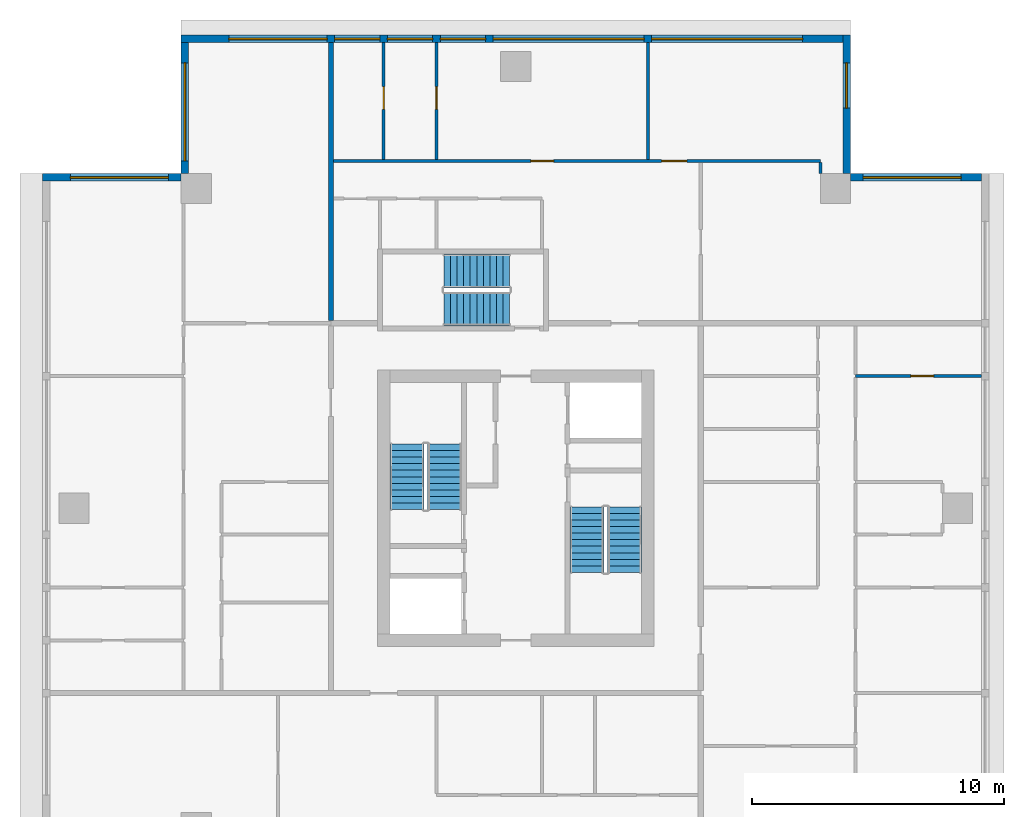
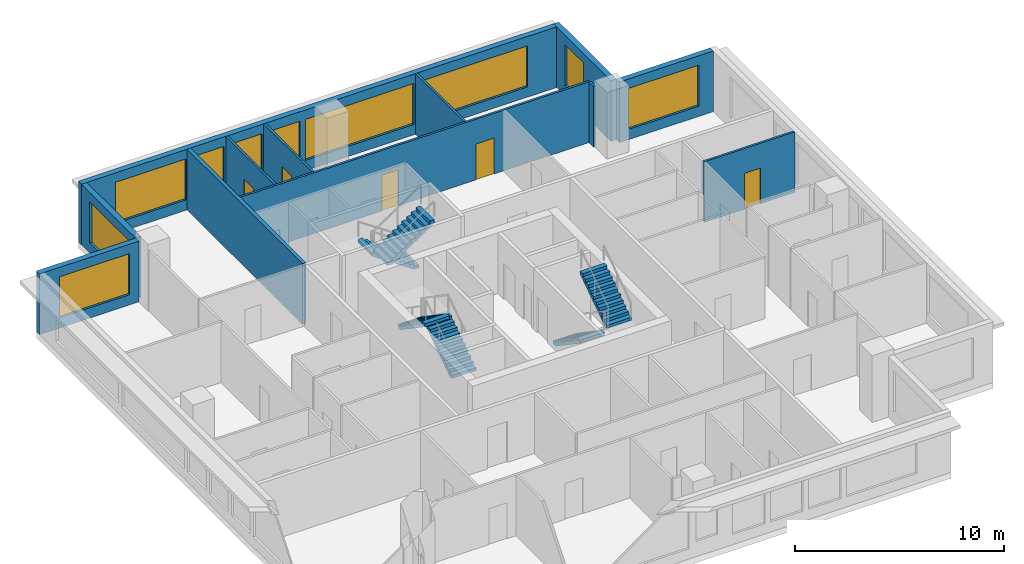
# One storey, part 5 of 8: 12 walls, 10 windows, 6 stair flights, 5 doors, 15 openings, 3 elements without a shape of their own.
"""IFC4 building model written with IfcOpenShell, lengths in metres."""

from ifc_helpers import new_model, si_unit, direction, frame, frame_2d, origin, place, context, subcontext, project, spatial, polyline, rectangle, outline, extrude, material, layer, layer_set, type_object, element, fill, aggregate, save


model = new_model("IFC4")

# Units and contexts
model_context = context("Model", 3, precision=1e-05, world=origin(), true_north=direction((0.0, 1.0)))
body_context = subcontext(model_context, "Body", "Model", "MODEL_VIEW")
ifc_project = project(units=[si_unit("LENGTHUNIT", "METRE"), si_unit("AREAUNIT", "SQUARE_METRE"), si_unit("VOLUMEUNIT", "CUBIC_METRE"), si_unit("PLANEANGLEUNIT", "RADIAN"), si_unit("MASSUNIT", "GRAM", prefix="KILO")], contexts=[model_context])

# Site, building, storey
site_placement = place(None, origin())
site = spatial("IfcSite", under=ifc_project, at=site_placement, CompositionType="ELEMENT")
building_placement = place(site_placement, origin())
building = spatial("IfcBuilding", under=site, at=building_placement, Name="Khepri Terraces", CompositionType="ELEMENT")
storey_placement = place(building_placement, frame((0.0, 0.0, 304.5)))
storey = spatial("IfcBuildingStorey", under=building, at=storey_placement, Name="L73", CompositionType="ELEMENT", Elevation=304.5)

# Wall
ifc_material_1 = material(Name="Fire-rated gypsum plasterboard partition, mineral wool")
ifc_layer_1 = layer(ifc_material_1, 0.199951171875, Name="Fire-rated gypsum plasterboard partition, mineral wool")
ifc_layer_set_1 = layer_set([ifc_layer_1], Name="Fire-rated gypsum plasterboard partition, mineral wool")
wall_type_1 = type_object("IfcWallType", Name="WL-CORR-200", PredefinedType="PARTITIONING", material=ifc_layer_set_1)
wall_1_placement = place(storey_placement, frame((-7.35009765625, 7.449951171875, 0.0), z_axis=(0.0, 0.0, 1.0), x_axis=(0.0, 1.0, 0.0)))
element("IfcWall", 1, at=wall_1_placement, inside=storey, type_object=wall_type_1, Name="Partition P-057 L73", PredefinedType="PARTITIONING", context=body_context, shape_type="SweptSolid", body=[
    extrude(rectangle(XDim=11.050048828125, YDim=0.199951171875, at=frame_2d((5.52490234375, 0.0))), origin(), (0.0, 0.0, 1.0), 3.550048828125),
])

# Wall, opening, window
ifc_material_2 = material(Name="Precast concrete C50/60 warm stone", Category="masonry")
ifc_layer_2 = layer(ifc_material_2, 0.300048828125, Name="Precast concrete C50/60 warm stone", Category="masonry")
ifc_layer_set_2 = layer_set([ifc_layer_2], Name="Precast concrete C50/60 warm stone")
wall_type_2 = type_object("IfcWallType", Name="WL-EXT-PRECAST-300", PredefinedType="STANDARD", material=ifc_layer_set_2)
wall_2_placement = place(storey_placement, frame((18.5, 13.14990234375, 0.0), z_axis=(0.0, 0.0, 1.0), x_axis=(-1.0, 0.0, 0.0)))
wall_2 = element("IfcWall", 2, at=wall_2_placement, inside=storey, type_object=wall_type_2, Name="External wall L73 N", PredefinedType="STANDARD", context=body_context, shape_type="SweptSolid", body=[
    extrude(rectangle(XDim=5.199951171875, YDim=0.300048828125, at=frame_2d((2.60009765625, 0.0))), origin(), (0.0, 0.0, 1.0), 3.550048828125),
])
opening_1_placement = place(wall_2_placement, frame((0.800048828125, 0.0, 0.60009765625)))
opening_1 = element("IfcOpeningElement", 3, at=opening_1_placement, cuts=wall_2, Name="Opening WC2", PredefinedType="OPENING", context=body_context, shape_type="SweptSolid", body=[
    extrude(rectangle(XDim=3.89990234375, YDim=2.39990234375, at=frame_2d((1.949951171875, 1.199951171875))), frame((0.0, 0.16015625, 0.0), z_axis=(0.0, -1.0, 0.0), x_axis=(1.0, 0.0, 0.0)), (0.0, 0.0, 1.0), 0.320068359375),
])
ifc_material_3 = material(Name="Clear glass", Category="glass")
window_type_1 = type_object("IfcWindowType", Name="WIN-CRN-3900x2400", PartitioningType="SINGLE_PANEL", PredefinedType="WINDOW", material=ifc_material_3)
window_1_placement = place(opening_1_placement, origin())
window_1 = element("IfcWindow", 4, at=window_1_placement, inside=storey, type_object=window_type_1, Name="Window L73 N", OverallHeight=2.39990234375, OverallWidth=3.89990234375, PartitioningType="SINGLE_PANEL", PredefinedType="WINDOW", context=body_context, shape_type="SweptSolid", body=[
    extrude(rectangle(XDim=3.89990234375, YDim=2.39990234375, at=frame_2d((1.949951171875, 1.199951171875))), frame((0.0, 0.030029296875, 0.0), z_axis=(0.0, -1.0, 0.0), x_axis=(1.0, 0.0, 0.0)), (0.0, 0.0, 1.0), 0.06005859375),
])
fill(opening_1, window_1)

wall_3_placement = place(storey_placement, frame((13.14990234375, 13.300048828125, 0.0), z_axis=(0.0, 0.0, 1.0), x_axis=(0.0, 1.0, 0.0)))
wall_3 = element("IfcWall", 5, at=wall_3_placement, inside=storey, type_object=wall_type_2, Name="External wall L73 E", PredefinedType="STANDARD", context=body_context, shape_type="SweptSolid", body=[
    extrude(rectangle(XDim=5.5, YDim=0.300048828125, at=frame_2d((2.75, 0.0))), origin(), (0.0, 0.0, 1.0), 3.550048828125),
])
opening_2_placement = place(wall_3_placement, frame((2.60009765625, 0.0, 0.60009765625)))
opening_2 = element("IfcOpeningElement", 6, at=opening_2_placement, cuts=wall_3, Name="Opening WC1", PredefinedType="OPENING", context=body_context, shape_type="SweptSolid", body=[
    extrude(rectangle(XDim=1.800048828125, YDim=2.39990234375, at=frame_2d((0.89990234375, 1.199951171875))), frame((0.0, 0.16015625, 0.0), z_axis=(0.0, -1.0, 0.0), x_axis=(1.0, 0.0, 0.0)), (0.0, 0.0, 1.0), 0.320068359375),
])
window_type_2 = type_object("IfcWindowType", Name="WIN-CRN-1800x2400", PartitioningType="SINGLE_PANEL", PredefinedType="WINDOW", material=ifc_material_3)
window_2_placement = place(opening_2_placement, origin())
window_2 = element("IfcWindow", 7, at=window_2_placement, inside=storey, type_object=window_type_2, Name="Window L73 E", OverallHeight=2.39990234375, OverallWidth=1.800048828125, PartitioningType="SINGLE_PANEL", PredefinedType="WINDOW", context=body_context, shape_type="SweptSolid", body=[
    extrude(rectangle(XDim=1.800048828125, YDim=2.39990234375, at=frame_2d((0.89990234375, 1.199951171875))), frame((0.0, 0.030029296875, 0.0), z_axis=(0.0, -1.0, 0.0), x_axis=(1.0, 0.0, 0.0)), (0.0, 0.0, 1.0), 0.06005859375),
])
fill(opening_2, window_2)

# Wall, openings, windows
wall_4_placement = place(storey_placement, frame((13.0, 18.64990234375, 0.0), z_axis=(0.0, 0.0, 1.0), x_axis=(-1.0, 0.0, 0.0)))
wall_4 = element("IfcWall", 8, at=wall_4_placement, inside=storey, type_object=wall_type_2, Name="External wall L73 N", PredefinedType="STANDARD", context=body_context, shape_type="SweptSolid", body=[
    extrude(rectangle(XDim=26.300048828125, YDim=0.300048828125, at=frame_2d((13.14990234375, 0.0))), origin(), (0.0, 0.0, 1.0), 3.550048828125),
])
opening_3_placement = place(wall_4_placement, frame((1.60009765625, 0.0, 0.60009765625)))
opening_3 = element("IfcOpeningElement", 9, at=opening_3_placement, cuts=wall_4, Name="Opening WC3", PredefinedType="OPENING", context=body_context, shape_type="SweptSolid", body=[
    extrude(rectangle(XDim=6.0, YDim=2.39990234375, at=frame_2d((3.0, 1.199951171875))), frame((0.0, 0.16015625, 0.0), z_axis=(0.0, -1.0, 0.0), x_axis=(1.0, 0.0, 0.0)), (0.0, 0.0, 1.0), 0.320068359375),
])
opening_4_placement = place(wall_4_placement, frame((7.89990234375, 0.0, 0.60009765625)))
opening_4 = element("IfcOpeningElement", 10, at=opening_4_placement, cuts=wall_4, Name="Opening WC3", PredefinedType="OPENING", context=body_context, shape_type="SweptSolid", body=[
    extrude(rectangle(XDim=6.0, YDim=2.39990234375, at=frame_2d((3.0, 1.199951171875))), frame((0.0, 0.16015625, 0.0), z_axis=(0.0, -1.0, 0.0), x_axis=(1.0, 0.0, 0.0)), (0.0, 0.0, 1.0), 0.320068359375),
])
opening_5_placement = place(wall_4_placement, frame((14.199951171875, 0.0, 0.60009765625)))
opening_5 = element("IfcOpeningElement", 11, at=opening_5_placement, cuts=wall_4, Name="Opening WC1", PredefinedType="OPENING", context=body_context, shape_type="SweptSolid", body=[
    extrude(rectangle(XDim=1.800048828125, YDim=2.39990234375, at=frame_2d((0.89990234375, 1.199951171875))), frame((0.0, 0.16015625, 0.0), z_axis=(0.0, -1.0, 0.0), x_axis=(1.0, 0.0, 0.0)), (0.0, 0.0, 1.0), 0.320068359375),
])
opening_6_placement = place(wall_4_placement, frame((16.300048828125, 0.0, 0.60009765625)))
opening_6 = element("IfcOpeningElement", 12, at=opening_6_placement, cuts=wall_4, Name="Opening WC1", PredefinedType="OPENING", context=body_context, shape_type="SweptSolid", body=[
    extrude(rectangle(XDim=1.800048828125, YDim=2.39990234375, at=frame_2d((0.89990234375, 1.199951171875))), frame((0.0, 0.16015625, 0.0), z_axis=(0.0, -1.0, 0.0), x_axis=(1.0, 0.0, 0.0)), (0.0, 0.0, 1.0), 0.320068359375),
])
opening_7_placement = place(wall_4_placement, frame((18.39990234375, 0.0, 0.60009765625)))
opening_7 = element("IfcOpeningElement", 13, at=opening_7_placement, cuts=wall_4, Name="Opening WC1", PredefinedType="OPENING", context=body_context, shape_type="SweptSolid", body=[
    extrude(rectangle(XDim=1.800048828125, YDim=2.39990234375, at=frame_2d((0.89990234375, 1.199951171875))), frame((0.0, 0.16015625, 0.0), z_axis=(0.0, -1.0, 0.0), x_axis=(1.0, 0.0, 0.0)), (0.0, 0.0, 1.0), 0.320068359375),
])
opening_8_placement = place(wall_4_placement, frame((20.5, 0.0, 0.60009765625)))
opening_8 = element("IfcOpeningElement", 14, at=opening_8_placement, cuts=wall_4, Name="Opening WC2", PredefinedType="OPENING", context=body_context, shape_type="SweptSolid", body=[
    extrude(rectangle(XDim=3.89990234375, YDim=2.39990234375, at=frame_2d((1.949951171875, 1.199951171875))), frame((0.0, 0.16015625, 0.0), z_axis=(0.0, -1.0, 0.0), x_axis=(1.0, 0.0, 0.0)), (0.0, 0.0, 1.0), 0.320068359375),
])
window_3_placement = place(opening_5_placement, origin())
window_3 = element("IfcWindow", 15, at=window_3_placement, inside=storey, type_object=window_type_2, Name="Window L73 N", OverallHeight=2.39990234375, OverallWidth=1.800048828125, PartitioningType="SINGLE_PANEL", PredefinedType="WINDOW", context=body_context, shape_type="SweptSolid", body=[
    extrude(rectangle(XDim=1.800048828125, YDim=2.39990234375, at=frame_2d((0.89990234375, 1.199951171875))), frame((0.0, 0.030029296875, 0.0), z_axis=(0.0, -1.0, 0.0), x_axis=(1.0, 0.0, 0.0)), (0.0, 0.0, 1.0), 0.06005859375),
])
fill(opening_5, window_3)
window_4_placement = place(opening_6_placement, origin())
window_4 = element("IfcWindow", 16, at=window_4_placement, inside=storey, type_object=window_type_2, Name="Window L73 N", OverallHeight=2.39990234375, OverallWidth=1.800048828125, PartitioningType="SINGLE_PANEL", PredefinedType="WINDOW", context=body_context, shape_type="SweptSolid", body=[
    extrude(rectangle(XDim=1.800048828125, YDim=2.39990234375, at=frame_2d((0.89990234375, 1.199951171875))), frame((0.0, 0.030029296875, 0.0), z_axis=(0.0, -1.0, 0.0), x_axis=(1.0, 0.0, 0.0)), (0.0, 0.0, 1.0), 0.06005859375),
])
fill(opening_6, window_4)
window_5_placement = place(opening_7_placement, origin())
window_5 = element("IfcWindow", 17, at=window_5_placement, inside=storey, type_object=window_type_2, Name="Window L73 N", OverallHeight=2.39990234375, OverallWidth=1.800048828125, PartitioningType="SINGLE_PANEL", PredefinedType="WINDOW", context=body_context, shape_type="SweptSolid", body=[
    extrude(rectangle(XDim=1.800048828125, YDim=2.39990234375, at=frame_2d((0.89990234375, 1.199951171875))), frame((0.0, 0.030029296875, 0.0), z_axis=(0.0, -1.0, 0.0), x_axis=(1.0, 0.0, 0.0)), (0.0, 0.0, 1.0), 0.06005859375),
])
fill(opening_7, window_5)
window_6_placement = place(opening_8_placement, origin())
window_6 = element("IfcWindow", 18, at=window_6_placement, inside=storey, type_object=window_type_1, Name="Window L73 N", OverallHeight=2.39990234375, OverallWidth=3.89990234375, PartitioningType="SINGLE_PANEL", PredefinedType="WINDOW", context=body_context, shape_type="SweptSolid", body=[
    extrude(rectangle(XDim=3.89990234375, YDim=2.39990234375, at=frame_2d((1.949951171875, 1.199951171875))), frame((0.0, 0.030029296875, 0.0), z_axis=(0.0, -1.0, 0.0), x_axis=(1.0, 0.0, 0.0)), (0.0, 0.0, 1.0), 0.06005859375),
])
fill(opening_8, window_6)
window_type_3 = type_object("IfcWindowType", Name="WIN-CRN-6000x2400", PartitioningType="SINGLE_PANEL", PredefinedType="WINDOW", material=ifc_material_3)
window_7_placement = place(opening_3_placement, origin())
window_7 = element("IfcWindow", 19, at=window_7_placement, inside=storey, type_object=window_type_3, Name="Window L73 N", OverallHeight=2.39990234375, OverallWidth=6.0, PartitioningType="SINGLE_PANEL", PredefinedType="WINDOW", context=body_context, shape_type="SweptSolid", body=[
    extrude(rectangle(XDim=6.0, YDim=2.39990234375, at=frame_2d((3.0, 1.199951171875))), frame((0.0, 0.030029296875, 0.0), z_axis=(0.0, -1.0, 0.0), x_axis=(1.0, 0.0, 0.0)), (0.0, 0.0, 1.0), 0.06005859375),
])
fill(opening_3, window_7)
window_8_placement = place(opening_4_placement, origin())
window_8 = element("IfcWindow", 20, at=window_8_placement, inside=storey, type_object=window_type_3, Name="Window L73 N", OverallHeight=2.39990234375, OverallWidth=6.0, PartitioningType="SINGLE_PANEL", PredefinedType="WINDOW", context=body_context, shape_type="SweptSolid", body=[
    extrude(rectangle(XDim=6.0, YDim=2.39990234375, at=frame_2d((3.0, 1.199951171875))), frame((0.0, 0.030029296875, 0.0), z_axis=(0.0, -1.0, 0.0), x_axis=(1.0, 0.0, 0.0)), (0.0, 0.0, 1.0), 0.06005859375),
])
fill(opening_4, window_8)

# Wall, opening, window
wall_5_placement = place(storey_placement, frame((-13.14990234375, 18.5, 0.0), z_axis=(0.0, 0.0, 1.0), x_axis=(0.0, -1.0, 0.0)))
wall_5 = element("IfcWall", 21, at=wall_5_placement, inside=storey, type_object=wall_type_2, Name="External wall L73 W", PredefinedType="STANDARD", context=body_context, shape_type="SweptSolid", body=[
    extrude(rectangle(XDim=5.199951171875, YDim=0.300048828125, at=frame_2d((2.60009765625, 0.0))), origin(), (0.0, 0.0, 1.0), 3.550048828125),
])
opening_9_placement = place(wall_5_placement, frame((0.800048828125, 0.0, 0.60009765625)))
opening_9 = element("IfcOpeningElement", 22, at=opening_9_placement, cuts=wall_5, Name="Opening WC2", PredefinedType="OPENING", context=body_context, shape_type="SweptSolid", body=[
    extrude(rectangle(XDim=3.89990234375, YDim=2.39990234375, at=frame_2d((1.949951171875, 1.199951171875))), frame((0.0, 0.16015625, 0.0), z_axis=(0.0, -1.0, 0.0), x_axis=(1.0, 0.0, 0.0)), (0.0, 0.0, 1.0), 0.320068359375),
])
window_9_placement = place(opening_9_placement, origin())
window_9 = element("IfcWindow", 23, at=window_9_placement, inside=storey, type_object=window_type_1, Name="Window L73 W", OverallHeight=2.39990234375, OverallWidth=3.89990234375, PartitioningType="SINGLE_PANEL", PredefinedType="WINDOW", context=body_context, shape_type="SweptSolid", body=[
    extrude(rectangle(XDim=3.89990234375, YDim=2.39990234375, at=frame_2d((1.949951171875, 1.199951171875))), frame((0.0, 0.030029296875, 0.0), z_axis=(0.0, -1.0, 0.0), x_axis=(1.0, 0.0, 0.0)), (0.0, 0.0, 1.0), 0.06005859375),
])
fill(opening_9, window_9)

wall_6_placement = place(storey_placement, frame((-13.300048828125, 13.14990234375, 0.0), z_axis=(0.0, 0.0, 1.0), x_axis=(-1.0, 0.0, 0.0)))
wall_6 = element("IfcWall", 24, at=wall_6_placement, inside=storey, type_object=wall_type_2, Name="External wall L73 N", PredefinedType="STANDARD", context=body_context, shape_type="SweptSolid", body=[
    extrude(rectangle(XDim=5.5, YDim=0.300048828125, at=frame_2d((2.75, 0.0))), origin(), (0.0, 0.0, 1.0), 3.550048828125),
])
opening_10_placement = place(wall_6_placement, frame((0.5, 0.0, 0.60009765625)))
opening_10 = element("IfcOpeningElement", 25, at=opening_10_placement, cuts=wall_6, Name="Opening WC2", PredefinedType="OPENING", context=body_context, shape_type="SweptSolid", body=[
    extrude(rectangle(XDim=3.89990234375, YDim=2.39990234375, at=frame_2d((1.949951171875, 1.199951171875))), frame((0.0, 0.16015625, 0.0), z_axis=(0.0, -1.0, 0.0), x_axis=(1.0, 0.0, 0.0)), (0.0, 0.0, 1.0), 0.320068359375),
])
window_10_placement = place(opening_10_placement, origin())
window_10 = element("IfcWindow", 26, at=window_10_placement, inside=storey, type_object=window_type_1, Name="Window L73 N", OverallHeight=2.39990234375, OverallWidth=3.89990234375, PartitioningType="SINGLE_PANEL", PredefinedType="WINDOW", context=body_context, shape_type="SweptSolid", body=[
    extrude(rectangle(XDim=3.89990234375, YDim=2.39990234375, at=frame_2d((1.949951171875, 1.199951171875))), frame((0.0, 0.030029296875, 0.0), z_axis=(0.0, -1.0, 0.0), x_axis=(1.0, 0.0, 0.0)), (0.0, 0.0, 1.0), 0.06005859375),
])
fill(opening_10, window_10)

# Wall, opening, door
ifc_material_4 = material(Name="Gypsum plasterboard partition")
ifc_layer_3 = layer(ifc_material_4, 0.1201171875, Name="Gypsum plasterboard partition")
ifc_layer_set_3 = layer_set([ifc_layer_3], Name="Gypsum plasterboard partition")
wall_type_3 = type_object("IfcWallType", Name="WL-PART-120", PredefinedType="PARTITIONING", material=ifc_layer_set_3)
wall_7_placement = place(storey_placement, frame((13.5, 5.25, 0.0), z_axis=(0.0, 0.0, 1.0), x_axis=(1.0, 0.0, 0.0)))
wall_7 = element("IfcWall", 27, at=wall_7_placement, inside=storey, type_object=wall_type_3, Name="Partition P-049 L73", PredefinedType="PARTITIONING", context=body_context, shape_type="SweptSolid", body=[
    extrude(rectangle(XDim=5.0, YDim=0.1201171875, at=frame_2d((2.5, 0.0))), origin(), (0.0, 0.0, 1.0), 3.550048828125),
])
opening_11_placement = place(wall_7_placement, frame((2.199951171875, 0.0, 0.0)))
opening_11 = element("IfcOpeningElement", 28, at=opening_11_placement, cuts=wall_7, Name="Opening D4", PredefinedType="OPENING", context=body_context, shape_type="SweptSolid", body=[
    extrude(rectangle(XDim=0.89990234375, YDim=2.10009765625, at=frame_2d((0.449951171875, 1.050048828125))), frame((0.0, 0.070068359375, 0.0), z_axis=(0.0, -1.0, 0.0), x_axis=(1.0, 0.0, 0.0)), (0.0, 0.0, 1.0), 0.14013671875),
])
ifc_material_5 = material(Name="Timber door leaf, moisture resistant", Category="wood")
door_type_1 = type_object("IfcDoorType", Name="DR-WET-900", OperationType="NOTDEFINED", PredefinedType="DOOR", material=ifc_material_5)
door_1_placement = place(opening_11_placement, origin())
door_1 = element("IfcDoor", 29, at=door_1_placement, inside=storey, type_object=door_type_1, Name="Door Bathroom", OperationType="SINGLE_SWING_RIGHT", OverallHeight=2.10009765625, OverallWidth=0.89990234375, PredefinedType="DOOR", context=body_context, shape_type="SweptSolid", body=[
    extrude(rectangle(XDim=0.89990234375, YDim=2.10009765625, at=frame_2d((0.449951171875, 1.050048828125))), frame((0.0, 0.02490234375, 0.0), z_axis=(0.0, -1.0, 0.0), x_axis=(1.0, 0.0, 0.0)), (0.0, 0.0, 1.0), 0.050048828125),
])
fill(opening_11, door_1)

# Wall
wall_8_placement = place(storey_placement, frame((12.09912109375, 13.300048828125, 0.0), z_axis=(0.0, 0.0, 1.0), x_axis=(0.0, 1.0, 0.0)))
element("IfcWall", 30, at=wall_8_placement, inside=storey, type_object=wall_type_3, Name="Partition P-063 L73", PredefinedType="PARTITIONING", context=body_context, shape_type="SweptSolid", body=[
    extrude(rectangle(XDim=0.43994140625, YDim=0.1201171875, at=frame_2d((0.219970703125, 0.0))), origin(), (0.0, 0.0, 1.0), 3.550048828125),
])

# Wall, openings, doors
wall_9_placement = place(storey_placement, frame((-7.25, 13.800048828125, 0.0), z_axis=(0.0, 0.0, 1.0), x_axis=(1.0, 0.0, 0.0)))
wall_9 = element("IfcWall", 31, at=wall_9_placement, inside=storey, type_object=wall_type_3, Name="Partition P-064 L73", PredefinedType="PARTITIONING", context=body_context, shape_type="SweptSolid", body=[
    extrude(rectangle(XDim=19.34912109375, YDim=0.1201171875, at=frame_2d((9.674560546875, 0.0))), origin(), (0.0, 0.0, 1.0), 3.550048828125),
])
opening_12_placement = place(wall_9_placement, frame((13.050048828125, 0.0, 0.0)))
opening_12 = element("IfcOpeningElement", 32, at=opening_12_placement, cuts=wall_9, Name="Opening D2", PredefinedType="OPENING", context=body_context, shape_type="SweptSolid", body=[
    extrude(rectangle(XDim=1.0, YDim=2.10009765625, at=frame_2d((0.5, 1.050048828125))), frame((0.0, 0.070068359375, 0.0), z_axis=(0.0, -1.0, 0.0), x_axis=(1.0, 0.0, 0.0)), (0.0, 0.0, 1.0), 0.14013671875),
])
opening_13_placement = place(wall_9_placement, frame((7.85009765625, 0.0, 0.0)))
opening_13 = element("IfcOpeningElement", 33, at=opening_13_placement, cuts=wall_9, Name="Opening D3", PredefinedType="OPENING", context=body_context, shape_type="SweptSolid", body=[
    extrude(rectangle(XDim=0.89990234375, YDim=2.10009765625, at=frame_2d((0.449951171875, 1.050048828125))), frame((0.0, 0.070068359375, 0.0), z_axis=(0.0, -1.0, 0.0), x_axis=(1.0, 0.0, 0.0)), (0.0, 0.0, 1.0), 0.14013671875),
])
ifc_material_6 = material(Name="Timber door leaf, living room door", Category="wood")
door_type_2 = type_object("IfcDoorType", Name="DR-INT-1000", OperationType="NOTDEFINED", PredefinedType="DOOR", material=ifc_material_6)
door_2_placement = place(opening_12_placement, origin())
door_2 = element("IfcDoor", 34, at=door_2_placement, inside=storey, type_object=door_type_2, Name="Door Living Room", OperationType="SINGLE_SWING_RIGHT", OverallHeight=2.10009765625, OverallWidth=1.0, PredefinedType="DOOR", context=body_context, shape_type="SweptSolid", body=[
    extrude(rectangle(XDim=1.0, YDim=2.10009765625, at=frame_2d((0.5, 1.050048828125))), frame((0.0, 0.02490234375, 0.0), z_axis=(0.0, -1.0, 0.0), x_axis=(1.0, 0.0, 0.0)), (0.0, 0.0, 1.0), 0.050048828125),
])
fill(opening_12, door_2)
ifc_material_7 = material(Name="Timber door leaf", Category="wood")
door_type_3 = type_object("IfcDoorType", Name="DR-INT-900", OperationType="NOTDEFINED", PredefinedType="DOOR", material=ifc_material_7)
door_3_placement = place(opening_13_placement, origin())
door_3 = element("IfcDoor", 35, at=door_3_placement, inside=storey, type_object=door_type_3, Name="Door Master Bedroom", OperationType="SINGLE_SWING_LEFT", OverallHeight=2.10009765625, OverallWidth=0.89990234375, PredefinedType="DOOR", context=body_context, shape_type="SweptSolid", body=[
    extrude(rectangle(XDim=0.89990234375, YDim=2.10009765625, at=frame_2d((0.449951171875, 1.050048828125))), frame((0.0, 0.02490234375, 0.0), z_axis=(0.0, -1.0, 0.0), x_axis=(1.0, 0.0, 0.0)), (0.0, 0.0, 1.0), 0.050048828125),
])
fill(opening_13, door_3)

# Wall, opening, door
wall_10_placement = place(storey_placement, frame((-5.25, 13.860107421875, 0.0), z_axis=(0.0, 0.0, 1.0), x_axis=(0.0, 1.0, 0.0)))
wall_10 = element("IfcWall", 36, at=wall_10_placement, inside=storey, type_object=wall_type_3, Name="Partition P-065 L73", PredefinedType="PARTITIONING", context=body_context, shape_type="SweptSolid", body=[
    extrude(rectangle(XDim=4.639892578125, YDim=0.1201171875, at=frame_2d((2.31982421875, 0.0))), origin(), (0.0, 0.0, 1.0), 3.550048828125),
])
opening_14_placement = place(wall_10_placement, frame((1.989990234375, 0.0, 0.0)))
opening_14 = element("IfcOpeningElement", 37, at=opening_14_placement, cuts=wall_10, Name="Opening D4", PredefinedType="OPENING", context=body_context, shape_type="SweptSolid", body=[
    extrude(rectangle(XDim=0.89990234375, YDim=2.10009765625, at=frame_2d((0.449951171875, 1.050048828125))), frame((0.0, 0.070068359375, 0.0), z_axis=(0.0, -1.0, 0.0), x_axis=(1.0, 0.0, 0.0)), (0.0, 0.0, 1.0), 0.14013671875),
])
door_4_placement = place(opening_14_placement, origin())
door_4 = element("IfcDoor", 38, at=door_4_placement, inside=storey, type_object=door_type_1, Name="Door Bathroom", OperationType="SINGLE_SWING_RIGHT", OverallHeight=2.10009765625, OverallWidth=0.89990234375, PredefinedType="DOOR", context=body_context, shape_type="SweptSolid", body=[
    extrude(rectangle(XDim=0.89990234375, YDim=2.10009765625, at=frame_2d((0.449951171875, 1.050048828125))), frame((0.0, 0.02490234375, 0.0), z_axis=(0.0, -1.0, 0.0), x_axis=(1.0, 0.0, 0.0)), (0.0, 0.0, 1.0), 0.050048828125),
])
fill(opening_14, door_4)

wall_11_placement = place(storey_placement, frame((-3.14990234375, 13.860107421875, 0.0), z_axis=(0.0, 0.0, 1.0), x_axis=(0.0, 1.0, 0.0)))
wall_11 = element("IfcWall", 39, at=wall_11_placement, inside=storey, type_object=wall_type_3, Name="Partition P-066 L73", PredefinedType="PARTITIONING", context=body_context, shape_type="SweptSolid", body=[
    extrude(rectangle(XDim=4.639892578125, YDim=0.1201171875, at=frame_2d((2.31982421875, 0.0))), origin(), (0.0, 0.0, 1.0), 3.550048828125),
])
opening_15_placement = place(wall_11_placement, frame((1.989990234375, 0.0, 0.0)))
opening_15 = element("IfcOpeningElement", 40, at=opening_15_placement, cuts=wall_11, Name="Opening D3", PredefinedType="OPENING", context=body_context, shape_type="SweptSolid", body=[
    extrude(rectangle(XDim=0.89990234375, YDim=2.10009765625, at=frame_2d((0.449951171875, 1.050048828125))), frame((0.0, 0.070068359375, 0.0), z_axis=(0.0, -1.0, 0.0), x_axis=(1.0, 0.0, 0.0)), (0.0, 0.0, 1.0), 0.14013671875),
])
door_5_placement = place(opening_15_placement, origin())
door_5 = element("IfcDoor", 41, at=door_5_placement, inside=storey, type_object=door_type_3, Name="Door Dressing Room", OperationType="SINGLE_SWING_RIGHT", OverallHeight=2.10009765625, OverallWidth=0.89990234375, PredefinedType="DOOR", context=body_context, shape_type="SweptSolid", body=[
    extrude(rectangle(XDim=0.89990234375, YDim=2.10009765625, at=frame_2d((0.449951171875, 1.050048828125))), frame((0.0, 0.02490234375, 0.0), z_axis=(0.0, -1.0, 0.0), x_axis=(1.0, 0.0, 0.0)), (0.0, 0.0, 1.0), 0.050048828125),
])
fill(opening_15, door_5)

# Wall
wall_12_placement = place(storey_placement, frame((5.25, 13.860107421875, 0.0), z_axis=(0.0, 0.0, 1.0), x_axis=(0.0, 1.0, 0.0)))
element("IfcWall", 42, at=wall_12_placement, inside=storey, type_object=wall_type_3, Name="Partition P-067 L73", PredefinedType="PARTITIONING", context=body_context, shape_type="SweptSolid", body=[
    extrude(rectangle(XDim=4.639892578125, YDim=0.1201171875, at=frame_2d((2.31982421875, 0.0))), origin(), (0.0, 0.0, 1.0), 3.550048828125),
])

# Stair, stair flights
ifc_material_8 = material(Name="Concrete C40/50", Category="concrete")
stair_type = type_object("IfcStairType", Name="STAIR-RC-22R", PredefinedType="HALF_TURN_STAIR", material=ifc_material_8)
stair_1_placement = place(storey_placement, origin())
stair_1 = element("IfcStair", 43, at=stair_1_placement, inside=storey, type_object=stair_type, Name="L73 Exit Stair ST-1", PredefinedType="HALF_TURN_STAIR")
stair_flight_type = type_object("IfcStairFlightType", Name="SFL-RC-177.3", PredefinedType="STRAIGHT", material=ifc_material_8)
stair_flight_1_placement = place(storey_placement, frame((-2.824951171875, -0.050048828125, 0.0), z_axis=(0.0, 0.0, 1.0), x_axis=(0.0, 1.0, 0.0)))
stair_flight_1 = element("IfcStairFlight", 44, at=stair_flight_1_placement, type_object=stair_flight_type, Name="ST-1 flight 1", NumberOfRisers=11, NumberOfTreads=10, PredefinedType="STRAIGHT", RiserHeight=0.177272727, TreadLength=0.26, context=body_context, shape_type="SweptSolid", body=[
    extrude(outline(polyline([(0.0, 0.0), (0.0, 0.17724609375), (0.260009765625, 0.17724609375), (0.260009765625, 0.3544921875), (0.52001953125, 0.3544921875), (0.52001953125, 0.53173828125), (0.780029296875, 0.53173828125), (0.780029296875, 0.708984375), (1.0400390625, 0.708984375), (1.0400390625, 0.886474609375), (1.300048828125, 0.886474609375), (1.300048828125, 1.063720703125), (1.56005859375, 1.063720703125), (1.56005859375, 1.240966796875), (1.820068359375, 1.240966796875), (1.820068359375, 1.418212890625), (2.080078125, 1.418212890625), (2.080078125, 1.595458984375), (2.340087890625, 1.595458984375), (2.340087890625, 1.772705078125), (2.60009765625, 1.772705078125), (2.60009765625, 1.949951171875), (2.60009765625, 1.59130859375), (0.26611328125, 0.0), (0.0, 0.0)])), frame((0.0, 0.675048828125, 0.0), z_axis=(0.0, -1.0, 0.0), x_axis=(1.0, 0.0, 0.0)), (0.0, 0.0, 1.0), 1.35009765625),
])
stair_flight_2_placement = place(storey_placement, frame((-4.324951171875, 2.550048828125, 1.949951171875), z_axis=(0.0, 0.0, 1.0), x_axis=(0.0, -1.0, 0.0)))
stair_flight_2 = element("IfcStairFlight", 45, at=stair_flight_2_placement, type_object=stair_flight_type, Name="ST-1 flight 2", NumberOfRisers=11, NumberOfTreads=10, PredefinedType="STRAIGHT", RiserHeight=0.177272727, TreadLength=0.26, context=body_context, shape_type="SweptSolid", body=[
    extrude(outline(polyline([(0.0, 0.0), (0.0, 0.17724609375), (0.260009765625, 0.17724609375), (0.260009765625, 0.3544921875), (0.52001953125, 0.3544921875), (0.52001953125, 0.53173828125), (0.780029296875, 0.53173828125), (0.780029296875, 0.708984375), (1.0400390625, 0.708984375), (1.0400390625, 0.886474609375), (1.300048828125, 0.886474609375), (1.300048828125, 1.063720703125), (1.56005859375, 1.063720703125), (1.56005859375, 1.240966796875), (1.820068359375, 1.240966796875), (1.820068359375, 1.418212890625), (2.080078125, 1.418212890625), (2.080078125, 1.595458984375), (2.340087890625, 1.595458984375), (2.340087890625, 1.772705078125), (2.60009765625, 1.772705078125), (2.60009765625, 1.949951171875), (2.60009765625, 1.59130859375), (0.26611328125, 0.0), (0.0, 0.0)])), frame((0.0, 0.675048828125, 0.0), z_axis=(0.0, -1.0, 0.0), x_axis=(1.0, 0.0, 0.0)), (0.0, 0.0, 1.0), 1.35009765625),
])
aggregate(stair_1, [stair_flight_1, stair_flight_2])

stair_2_placement = place(storey_placement, origin())
stair_2 = element("IfcStair", 46, at=stair_2_placement, inside=storey, type_object=stair_type, Name="L73 Exit Stair ST-2", PredefinedType="HALF_TURN_STAIR")
stair_flight_3_placement = place(storey_placement, frame((2.824951171875, 0.050048828125, 0.0), z_axis=(0.0, 0.0, 1.0), x_axis=(0.0, -1.0, 0.0)))
stair_flight_3 = element("IfcStairFlight", 47, at=stair_flight_3_placement, type_object=stair_flight_type, Name="ST-2 flight 1", NumberOfRisers=11, NumberOfTreads=10, PredefinedType="STRAIGHT", RiserHeight=0.177272727, TreadLength=0.26, context=body_context, shape_type="SweptSolid", body=[
    extrude(outline(polyline([(0.0, 0.0), (0.0, 0.17724609375), (0.260009765625, 0.17724609375), (0.260009765625, 0.3544921875), (0.52001953125, 0.3544921875), (0.52001953125, 0.53173828125), (0.780029296875, 0.53173828125), (0.780029296875, 0.708984375), (1.0400390625, 0.708984375), (1.0400390625, 0.886474609375), (1.300048828125, 0.886474609375), (1.300048828125, 1.063720703125), (1.56005859375, 1.063720703125), (1.56005859375, 1.240966796875), (1.820068359375, 1.240966796875), (1.820068359375, 1.418212890625), (2.080078125, 1.418212890625), (2.080078125, 1.595458984375), (2.340087890625, 1.595458984375), (2.340087890625, 1.772705078125), (2.60009765625, 1.772705078125), (2.60009765625, 1.949951171875), (2.60009765625, 1.59130859375), (0.26611328125, 0.0), (0.0, 0.0)])), frame((0.0, 0.675048828125, 0.0), z_axis=(0.0, -1.0, 0.0), x_axis=(1.0, 0.0, 0.0)), (0.0, 0.0, 1.0), 1.35009765625),
])
stair_flight_4_placement = place(storey_placement, frame((4.324951171875, -2.550048828125, 1.949951171875), z_axis=(0.0, 0.0, 1.0), x_axis=(0.0, 1.0, 0.0)))
stair_flight_4 = element("IfcStairFlight", 48, at=stair_flight_4_placement, type_object=stair_flight_type, Name="ST-2 flight 2", NumberOfRisers=11, NumberOfTreads=10, PredefinedType="STRAIGHT", RiserHeight=0.177272727, TreadLength=0.26, context=body_context, shape_type="SweptSolid", body=[
    extrude(outline(polyline([(0.0, 0.0), (0.0, 0.17724609375), (0.260009765625, 0.17724609375), (0.260009765625, 0.3544921875), (0.52001953125, 0.3544921875), (0.52001953125, 0.53173828125), (0.780029296875, 0.53173828125), (0.780029296875, 0.708984375), (1.0400390625, 0.708984375), (1.0400390625, 0.886474609375), (1.300048828125, 0.886474609375), (1.300048828125, 1.063720703125), (1.56005859375, 1.063720703125), (1.56005859375, 1.240966796875), (1.820068359375, 1.240966796875), (1.820068359375, 1.418212890625), (2.080078125, 1.418212890625), (2.080078125, 1.595458984375), (2.340087890625, 1.595458984375), (2.340087890625, 1.772705078125), (2.60009765625, 1.772705078125), (2.60009765625, 1.949951171875), (2.60009765625, 1.59130859375), (0.26611328125, 0.0), (0.0, 0.0)])), frame((0.0, 0.675048828125, 0.0), z_axis=(0.0, -1.0, 0.0), x_axis=(1.0, 0.0, 0.0)), (0.0, 0.0, 1.0), 1.35009765625),
])
aggregate(stair_2, [stair_flight_3, stair_flight_4])

stair_3_placement = place(storey_placement, origin())
stair_3 = element("IfcStair", 49, at=stair_3_placement, inside=storey, type_object=stair_type, Name="L73 Exit Stair ST-3", PredefinedType="HALF_TURN_STAIR")
stair_flight_5_placement = place(storey_placement, frame((-0.25, 9.425048828125, 0.0), z_axis=(0.0, 0.0, 1.0), x_axis=(-1.0, 0.0, 0.0)))
stair_flight_5 = element("IfcStairFlight", 50, at=stair_flight_5_placement, type_object=stair_flight_type, Name="ST-3 flight 1", NumberOfRisers=11, NumberOfTreads=10, PredefinedType="STRAIGHT", RiserHeight=0.177272727, TreadLength=0.26, context=body_context, shape_type="SweptSolid", body=[
    extrude(outline(polyline([(0.0, 0.0), (0.0, 0.17724609375), (0.260009765625, 0.17724609375), (0.260009765625, 0.3544921875), (0.52001953125, 0.3544921875), (0.52001953125, 0.53173828125), (0.780029296875, 0.53173828125), (0.780029296875, 0.708984375), (1.0400390625, 0.708984375), (1.0400390625, 0.886474609375), (1.300048828125, 0.886474609375), (1.300048828125, 1.063720703125), (1.56005859375, 1.063720703125), (1.56005859375, 1.240966796875), (1.820068359375, 1.240966796875), (1.820068359375, 1.418212890625), (2.080078125, 1.418212890625), (2.080078125, 1.595458984375), (2.340087890625, 1.595458984375), (2.340087890625, 1.772705078125), (2.60009765625, 1.772705078125), (2.60009765625, 1.949951171875), (2.60009765625, 1.59130859375), (0.26611328125, 0.0), (0.0, 0.0)])), frame((0.0, 0.675048828125, 0.0), z_axis=(0.0, -1.0, 0.0), x_axis=(1.0, 0.0, 0.0)), (0.0, 0.0, 1.0), 1.35009765625),
])
stair_flight_6_placement = place(storey_placement, frame((-2.85009765625, 7.925048828125, 1.949951171875), z_axis=(0.0, 0.0, 1.0), x_axis=(1.0, 0.0, 0.0)))
stair_flight_6 = element("IfcStairFlight", 51, at=stair_flight_6_placement, type_object=stair_flight_type, Name="ST-3 flight 2", NumberOfRisers=11, NumberOfTreads=10, PredefinedType="STRAIGHT", RiserHeight=0.177272727, TreadLength=0.26, context=body_context, shape_type="SweptSolid", body=[
    extrude(outline(polyline([(0.0, 0.0), (0.0, 0.17724609375), (0.260009765625, 0.17724609375), (0.260009765625, 0.3544921875), (0.52001953125, 0.3544921875), (0.52001953125, 0.53173828125), (0.780029296875, 0.53173828125), (0.780029296875, 0.708984375), (1.0400390625, 0.708984375), (1.0400390625, 0.886474609375), (1.300048828125, 0.886474609375), (1.300048828125, 1.063720703125), (1.56005859375, 1.063720703125), (1.56005859375, 1.240966796875), (1.820068359375, 1.240966796875), (1.820068359375, 1.418212890625), (2.080078125, 1.418212890625), (2.080078125, 1.595458984375), (2.340087890625, 1.595458984375), (2.340087890625, 1.772705078125), (2.60009765625, 1.772705078125), (2.60009765625, 1.949951171875), (2.60009765625, 1.59130859375), (0.26611328125, 0.0), (0.0, 0.0)])), frame((0.0, 0.675048828125, 0.0), z_axis=(0.0, -1.0, 0.0), x_axis=(1.0, 0.0, 0.0)), (0.0, 0.0, 1.0), 1.35009765625),
])
aggregate(stair_3, [stair_flight_5, stair_flight_6])

save(model, "model.ifc")
